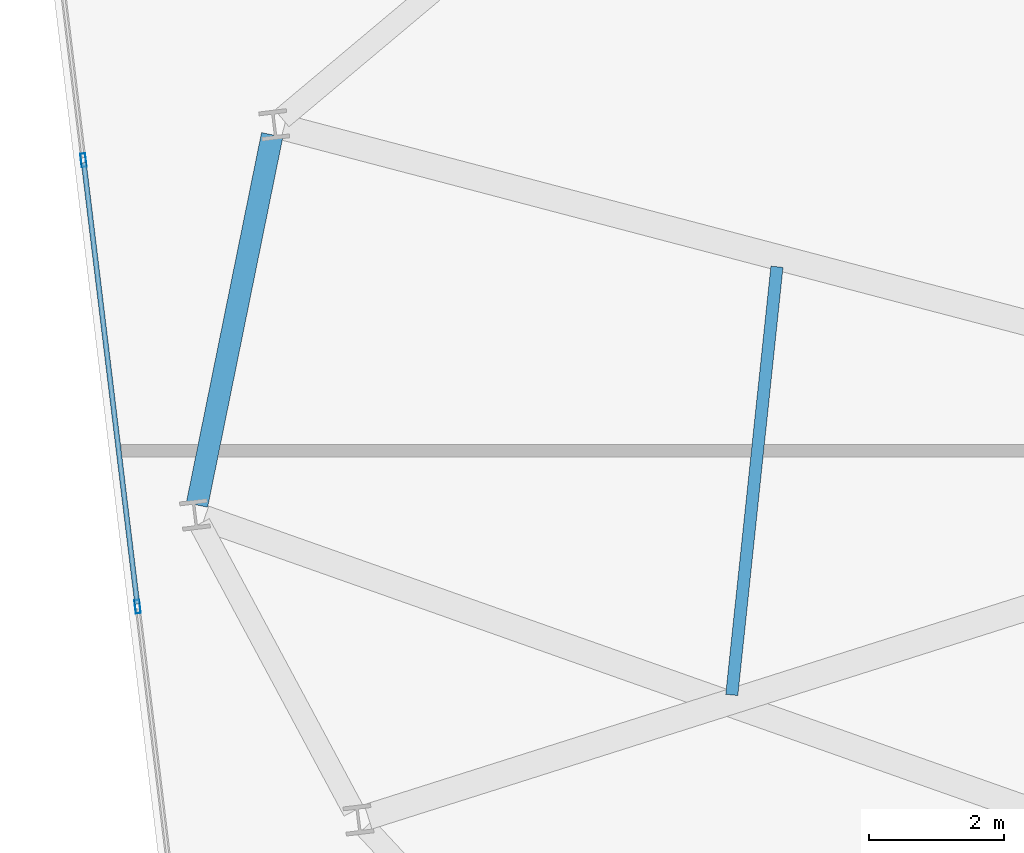
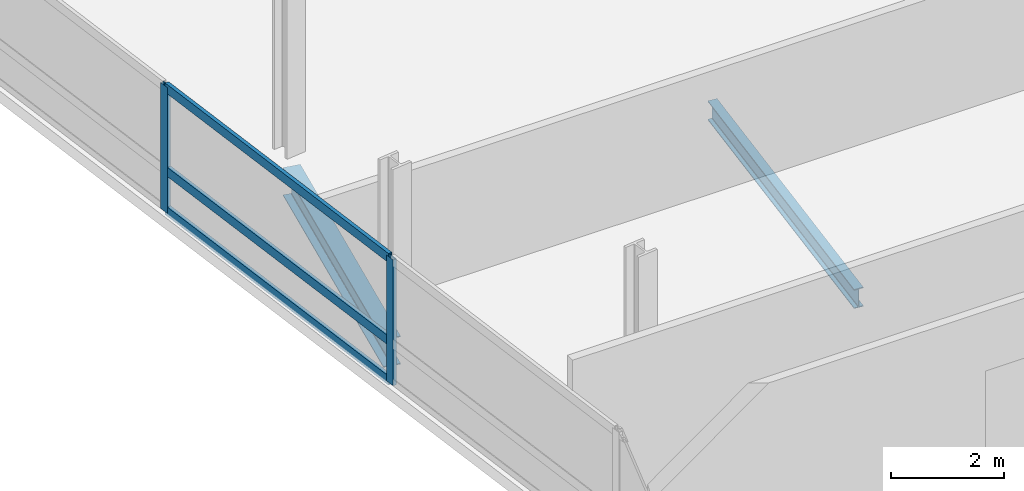
# One storey, part 6 of 24: 5 members, 2 beams, 1 element without a shape of its own.
"""IFC4 building model written with IfcOpenShell, lengths in metres."""

from ifc_helpers import new_model, si_unit, direction, frame, origin, origin_2d, place, context, subcontext, project, spatial, hollow_rectangle, i_section, extrude, material, layer, layer_set, material_profile, profile_set, type_object, element, aggregate, save


model = new_model("IFC4")

# Units and contexts
model_context = context("Model", 3, precision=1e-05, world=origin(), true_north=direction((0.0, 1.0)))
body_context = subcontext(model_context, "Body", "Model", "MODEL_VIEW")
ifc_project = project(units=[si_unit("LENGTHUNIT", "METRE"), si_unit("AREAUNIT", "SQUARE_METRE"), si_unit("VOLUMEUNIT", "CUBIC_METRE"), si_unit("PLANEANGLEUNIT", "RADIAN"), si_unit("MASSUNIT", "GRAM", prefix="KILO")], contexts=[model_context])

# Site, building, storey
site_placement = place(None, origin())
site = spatial("IfcSite", under=ifc_project, at=site_placement, CompositionType="ELEMENT")
building_placement = place(site_placement, origin())
building = spatial("IfcBuilding", under=site, at=building_placement, Name="Varnelok Gate Tower", CompositionType="ELEMENT")
storey_placement = place(building_placement, frame((0.0, 0.0, 167.199951171875)))
storey = spatial("IfcBuildingStorey", under=building, at=storey_placement, Name="L42", CompositionType="ELEMENT", Elevation=167.199951171875)

# Beams
ifc_material_1 = material(Name="Structural Steel ASTM A992 Grade 50", Category="steel")
ifc_material_profile_1 = material_profile(ifc_material_1, i_section(OverallWidth=0.180908203125, OverallDepth=0.4169921875, WebThickness=0.010986328125, FlangeThickness=0.018310546875, FilletRadius=0.013916015625, at=origin_2d()), Name="W16X57")
ifc_profile_set_1 = profile_set([ifc_material_profile_1], Name="Structural Steel ASTM A992 Grade 50")
beam_type_1 = type_object("IfcBeamType", Name="BM-JST-W16X57", PredefinedType="JOIST", material=ifc_profile_set_1)
beam_1_placement = place(storey_placement, frame((13.3916015625, 29.432861328125, -0.45849609375), z_axis=(-0.104937140232, -0.994478856789, 0.0), x_axis=(0.994478856789, -0.104937140232, 0.0)))
element("IfcBeam", 1, at=beam_1_placement, inside=storey, type_object=beam_type_1, Name="L42 Sector Floor Joist 11", PredefinedType="JOIST", context=body_context, shape_type="SweptSolid", body=[
    extrude(i_section(OverallWidth=0.180908203125, OverallDepth=0.4169921875, WebThickness=0.010986328125, FlangeThickness=0.018310546875, FilletRadius=0.013916015625, at=origin_2d()), origin(), (0.0, 0.0, 1.0), 6.395751953125),
])
ifc_material_profile_2 = material_profile(ifc_material_1, i_section(OverallWidth=0.323974609375, OverallDepth=0.611083984375, WebThickness=0.0126953125, FlangeThickness=0.01904296875, FilletRadius=0.01806640625, at=origin_2d()), Name="W24X104")
ifc_profile_set_2 = profile_set([ifc_material_profile_2], Name="Structural Steel ASTM A992 Grade 50")
beam_type_2 = type_object("IfcBeamType", Name="BM-SPN-W24X104", PredefinedType="SPANDREL", material=ifc_profile_set_2)
beam_2_placement = place(storey_placement, frame((5.893310546875, 31.393798828125, -0.555419921875), z_axis=(-0.199143476404, -0.97997034435, 0.0), x_axis=(0.97997034435, -0.199143476404, 0.0)))
element("IfcBeam", 2, at=beam_2_placement, inside=storey, type_object=beam_type_2, Name="L42 Perimeter Spandrel Beam 14", PredefinedType="SPANDREL", context=body_context, shape_type="SweptSolid", body=[
    extrude(i_section(OverallWidth=0.323974609375, OverallDepth=0.611083984375, WebThickness=0.0126953125, FlangeThickness=0.01904296875, FilletRadius=0.01806640625, at=origin_2d()), origin(), (0.0, 0.0, 1.0), 5.6123046875),
])

# Curtain wall, members
ifc_material_2 = material(Name="Anodized Aluminum Alloy 6063-T6", Category="aluminium")
ifc_layer = layer(ifc_material_2, 0.179931640625)
ifc_layer_set = layer_set([ifc_layer], Name="Anodized Aluminum Alloy 6063-T6")
curtain_wall_type = type_object("IfcCurtainWallType", Name="CW4-RESIDENCE-VISION", PredefinedType="USERDEFINED", material=ifc_layer_set)
curtain_wall_placement = place(storey_placement, origin())
curtain_wall = element("IfcCurtainWall", 3, at=curtain_wall_placement, inside=storey, type_object=curtain_wall_type, Name="L42 West End Vision Curtain Wall", ObjectType="UNITISED CURTAIN WALL", PredefinedType="USERDEFINED")
ifc_material_profile_3 = material_profile(ifc_material_2, hollow_rectangle(XDim=0.074951171875, YDim=0.199951171875, WallThickness=0.00390625, at=origin_2d()), Name="ALU200X75X4")
ifc_profile_set_3 = profile_set([ifc_material_profile_3], Name="Anodized Aluminum Alloy 6063-T6")
member_type_1 = type_object("IfcMemberType", Name="CW-MULL-200", PredefinedType="MULLION", material=ifc_profile_set_3)
member_1_placement = place(storey_placement, frame((3.8935546875, 24.384521484375, 0.0), z_axis=(0.0, 0.0, 1.0), x_axis=(-0.992732188751, -0.120344511371, 0.0)))
member_1 = element("IfcMember", 4, at=member_1_placement, type_object=member_type_1, Name="CW4 mullion 4", PredefinedType="MULLION", context=body_context, shape_type="SweptSolid", body=[
    extrude(hollow_rectangle(XDim=0.074951171875, YDim=0.199951171875, WallThickness=0.00390625, at=origin_2d()), origin(), (0.0, 0.0, 1.0), 2.72998046875),
])
member_2_placement = place(storey_placement, frame((3.089599609375, 31.015869140625, 0.0), z_axis=(0.0, 0.0, 1.0), x_axis=(-0.992732188751, -0.120344511371, 0.0)))
member_2 = element("IfcMember", 5, at=member_2_placement, type_object=member_type_1, Name="CW4 mullion 5", PredefinedType="MULLION", context=body_context, shape_type="SweptSolid", body=[
    extrude(hollow_rectangle(XDim=0.074951171875, YDim=0.199951171875, WallThickness=0.00390625, at=origin_2d()), origin(), (0.0, 0.0, 1.0), 2.72998046875),
])
ifc_material_profile_4 = material_profile(ifc_material_2, hollow_rectangle(XDim=0.074951171875, YDim=0.199951171875, WallThickness=0.00390625, at=origin_2d()), Name="ALU200X75X4")
ifc_profile_set_4 = profile_set([ifc_material_profile_4], Name="Anodized Aluminum Alloy 6063-T6")
member_type_2 = type_object("IfcMemberType", Name="CW-TRAN-200", PredefinedType="USERDEFINED", material=ifc_profile_set_4)
member_3_placement = place(storey_placement, frame((3.88916015625, 24.421630859375, 0.03759765625), z_axis=(-0.120353445289, 0.992731105691, 0.0), x_axis=(-0.992731105691, -0.120353445289, 0.0)))
member_3 = element("IfcMember", 6, at=member_3_placement, type_object=member_type_2, Name="CW4 transom 4.1", ObjectType="TRANSOM", PredefinedType="USERDEFINED", context=body_context, shape_type="SweptSolid", body=[
    extrude(hollow_rectangle(XDim=0.074951171875, YDim=0.199951171875, WallThickness=0.00390625, at=origin_2d()), origin(), (0.0, 0.0, 1.0), 6.60498046875),
])
member_4_placement = place(storey_placement, frame((3.88916015625, 24.421630859375, 0.900146484375), z_axis=(-0.120353445289, 0.992731105691, 0.0), x_axis=(-0.992731105691, -0.120353445289, 0.0)))
member_4 = element("IfcMember", 7, at=member_4_placement, type_object=member_type_2, Name="CW4 transom 4.2", ObjectType="TRANSOM", PredefinedType="USERDEFINED", context=body_context, shape_type="SweptSolid", body=[
    extrude(hollow_rectangle(XDim=0.074951171875, YDim=0.199951171875, WallThickness=0.00390625, at=origin_2d()), origin(), (0.0, 0.0, 1.0), 6.60498046875),
])
member_5_placement = place(storey_placement, frame((3.88916015625, 24.421630859375, 2.692626953125), z_axis=(-0.120353445289, 0.992731105691, 0.0), x_axis=(-0.992731105691, -0.120353445289, 0.0)))
member_5 = element("IfcMember", 8, at=member_5_placement, type_object=member_type_2, Name="CW4 transom 4.3", ObjectType="TRANSOM", PredefinedType="USERDEFINED", context=body_context, shape_type="SweptSolid", body=[
    extrude(hollow_rectangle(XDim=0.074951171875, YDim=0.199951171875, WallThickness=0.00390625, at=origin_2d()), origin(), (0.0, 0.0, 1.0), 6.60498046875),
])
aggregate(curtain_wall, [member_1, member_2, member_3, member_4, member_5])

save(model, "model.ifc")
